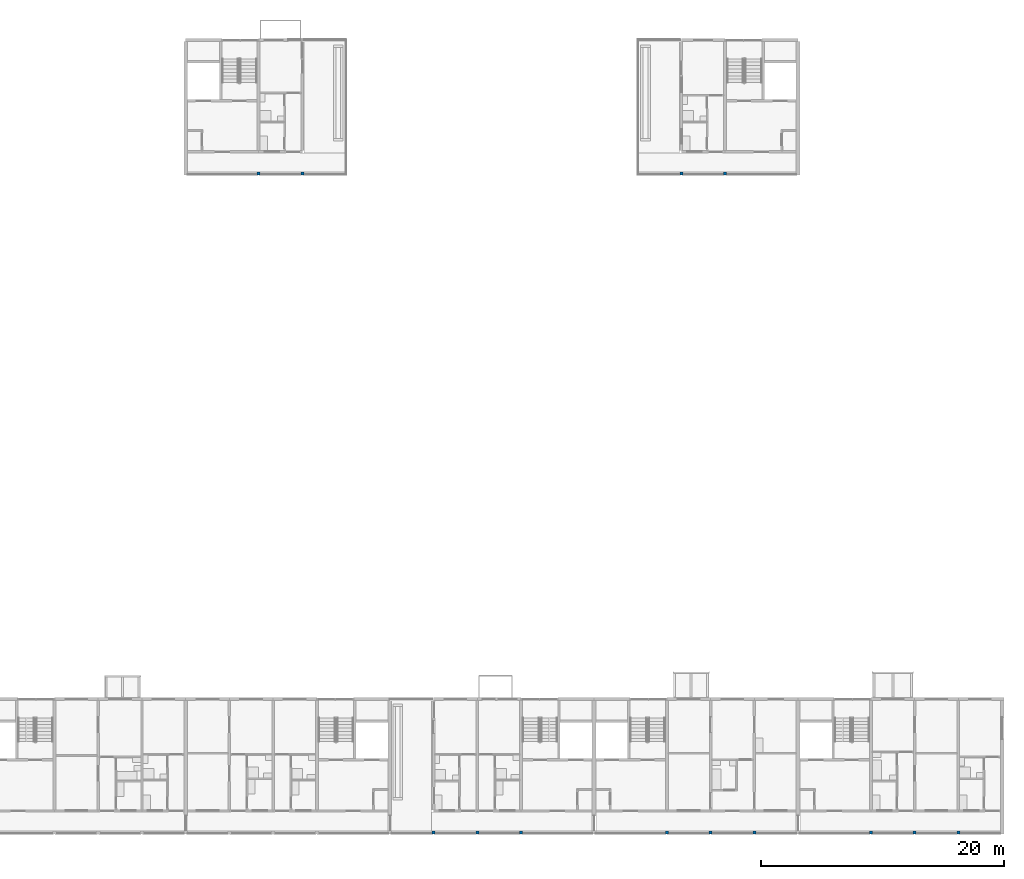
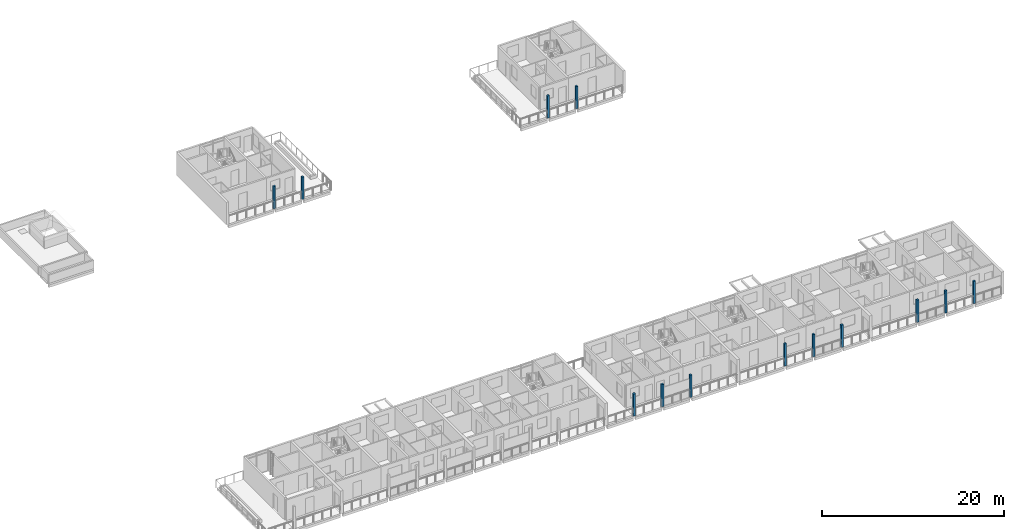
# One storey, part 3 of 64: 13 columns.
"""IFC4 building model written with IfcOpenShell, lengths in metres."""

from ifc_helpers import new_model, si_unit, direction, frame, origin, origin_2d, place, context, subcontext, project, spatial, rectangle, extrude, material, material_profile, profile_set, type_object, element, save


model = new_model("IFC4")

# Units and contexts
model_context = context("Model", 3, precision=1e-05, world=origin(), true_north=direction((0.0, 1.0)))
body_context = subcontext(model_context, "Body", "Model", "MODEL_VIEW")
ifc_project = project(units=[si_unit("LENGTHUNIT", "METRE"), si_unit("AREAUNIT", "SQUARE_METRE"), si_unit("VOLUMEUNIT", "CUBIC_METRE"), si_unit("PLANEANGLEUNIT", "RADIAN"), si_unit("MASSUNIT", "GRAM", prefix="KILO")], contexts=[model_context])

# Site, building, storey
site_placement = place(None, origin())
site = spatial("IfcSite", under=ifc_project, at=site_placement, CompositionType="ELEMENT")
building_placement = place(site_placement, origin())
building = spatial("IfcBuilding", under=site, at=building_placement, Name="Ridgestep Commons", CompositionType="ELEMENT")
storey_placement = place(building_placement, frame((0.0, 0.0, 33.0)))
storey = spatial("IfcBuildingStorey", under=building, at=storey_placement, Name="L11", CompositionType="ELEMENT", Elevation=33.0)

# Columns
ifc_material = material(Name="Precast concrete C40/50", Category="concrete")
ifc_material_profile = material_profile(ifc_material, rectangle(XDim=0.25, YDim=0.25, at=origin_2d()), Name="PC 250x250")
ifc_profile_set = profile_set([ifc_material_profile], Name="Precast concrete C40/50")
column_type = type_object("IfcColumnType", Name="Loggia column 250 x 250", PredefinedType="COLUMN", material=ifc_profile_set)
for number, where, z_axis, x_axis, name in (
    (1, (186.39990234375, 66.125, 0.0), (0.0, 0.0, 1.0), (1.0, 0.0, 0.0), "Loggia column C L11"),
    (2, (190.0, 66.125, 0.0), (0.0, 0.0, 1.0), (1.0, 0.0, 0.0), "Loggia column C L11"),
    (3, (221.199951171875, 66.125, 0.0), (0.0, 0.0, 1.0), (1.0, 0.0, 0.0), "Loggia column C L11"),
    (4, (224.800048828125, 66.125, 0.0), (0.0, 0.0, 1.0), (1.0, 0.0, 0.0), "Loggia column C L11"),
    (5, (200.800048828125, 11.875, 0.0), (0.0, 0.0, 1.0), (1.0, 0.0, 0.0), "Loggia column D L11"),
    (6, (204.39990234375, 11.875, 0.0), (0.0, 0.0, 1.0), (1.0, 0.0, 0.0), "Loggia column D L11"),
    (7, (208.0, 11.875, 0.0), (0.0, 0.0, 1.0), (1.0, 0.0, 0.0), "Loggia column D L11"),
    (8, (220.0, 11.875, 0.0), (0.0, 0.0, 1.0), (1.0, 0.0, 0.0), "Loggia column D L11"),
    (9, (223.60009765625, 11.875, 0.0), (0.0, 0.0, 1.0), (1.0, 0.0, 0.0), "Loggia column D L11"),
    (10, (227.199951171875, 11.875, 0.0), (0.0, 0.0, 1.0), (1.0, 0.0, 0.0), "Loggia column D L11"),
    (11, (236.800048828125, 11.875, 0.0), (0.0, 0.0, 1.0), (1.0, 0.0, 0.0), "Loggia column D L11"),
    (12, (240.39990234375, 11.875, 0.0), (0.0, 0.0, 1.0), (1.0, 0.0, 0.0), "Loggia column D L11"),
    (13, (244.0, 11.875, 0.0), (0.0, 0.0, 1.0), (1.0, 0.0, 0.0), "Loggia column D L11"),
):
    element("IfcColumn", number, at=place(storey_placement, frame(where, z_axis=z_axis, x_axis=x_axis)), inside=storey, type_object=column_type, Name=name, PredefinedType="COLUMN", context=body_context, shape_type="SweptSolid", body=[
        extrude(rectangle(XDim=0.25, YDim=0.25, at=origin_2d()), origin(), (0.0, 0.0, 1.0), 3.0),
    ])

save(model, "model.ifc")
